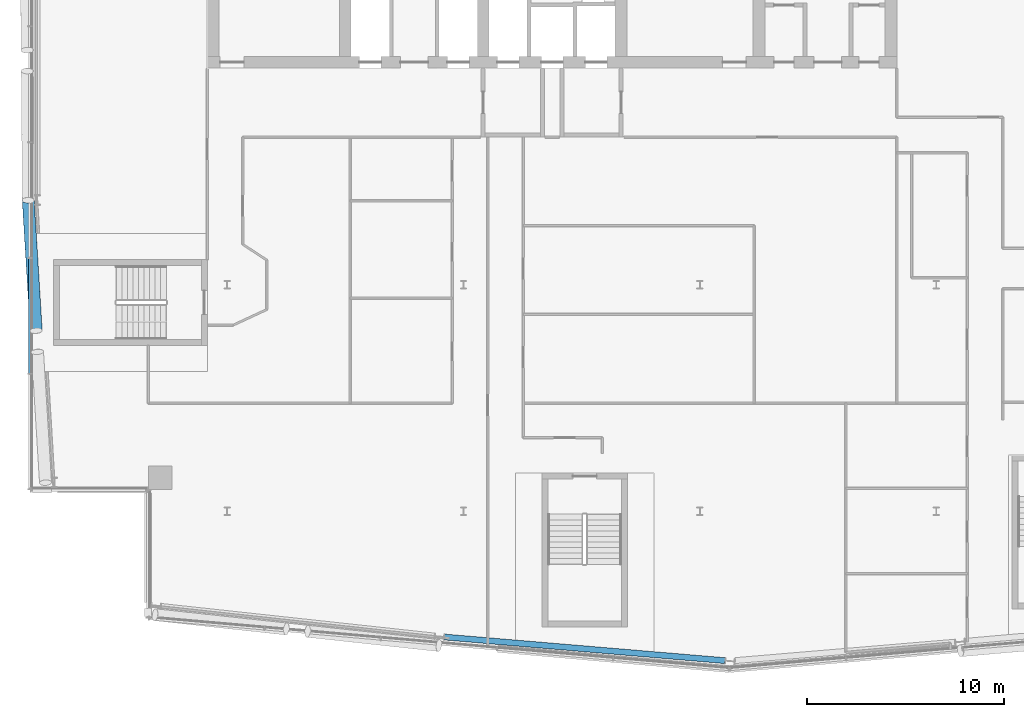
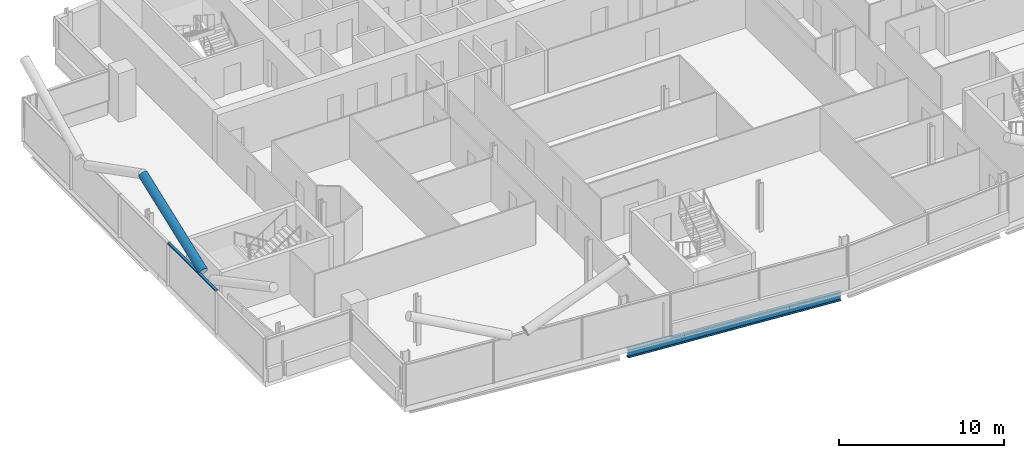
# One storey, part 6 of 27: 2 members, 1 beam, 1 element without a shape of its own.
"""IFC4 building model written with IfcOpenShell, lengths in metres."""

from ifc_helpers import new_model, si_unit, direction, frame, origin, origin_2d, place, context, subcontext, project, spatial, rectangle, hollow_circle, i_section, extrude, material, material_profile, profile_set, type_object, element, aggregate, save


model = new_model("IFC4")

# Units and contexts
model_context = context("Model", 3, precision=1e-05, world=origin(), true_north=direction((0.0, 1.0)))
body_context = subcontext(model_context, "Body", "Model", "MODEL_VIEW")
ifc_project = project(units=[si_unit("LENGTHUNIT", "METRE"), si_unit("AREAUNIT", "SQUARE_METRE"), si_unit("VOLUMEUNIT", "CUBIC_METRE"), si_unit("PLANEANGLEUNIT", "RADIAN"), si_unit("MASSUNIT", "GRAM", prefix="KILO")], contexts=[model_context])

# Site, building, storey
site_placement = place(None, origin())
site = spatial("IfcSite", under=ifc_project, at=site_placement, CompositionType="ELEMENT")
building_placement = place(site_placement, origin())
building = spatial("IfcBuilding", under=site, at=building_placement, Name="Wharfspan Tower", CompositionType="ELEMENT")
storey_placement = place(building_placement, frame((0.0, 0.0, 221.5)))
storey = spatial("IfcBuildingStorey", under=building, at=storey_placement, Name="L55", CompositionType="ELEMENT", Elevation=221.5)

# Beam
ifc_material_1 = material(Name="Steel S355J2", Category="steel")
ifc_material_profile_1 = material_profile(ifc_material_1, i_section(OverallWidth=0.300049, OverallDepth=0.600098, WebThickness=0.015381, FlangeThickness=0.030029, FilletRadius=0.0271, at=origin_2d()))
ifc_profile_set_1 = profile_set([ifc_material_profile_1], Name="Steel S355J2")
beam_type = type_object("IfcBeamType", Name="Edge beam HEB 600", PredefinedType="SPANDREL", material=ifc_profile_set_1)
beam_placement = place(storey_placement, frame((35.038574, 5.121582, -0.699951), z_axis=(0.996473, -0.083909, 0.0), x_axis=(0.083909, 0.996473, 0.0)))
element("IfcBeam", 1, at=beam_placement, inside=storey, type_object=beam_type, Name="Edge beam S1 L55 PS1.2 to PS1.3", PredefinedType="SPANDREL", context=body_context, shape_type="SweptSolid", body=[
    extrude(i_section(OverallWidth=0.300049, OverallDepth=0.600098, WebThickness=0.015381, FlangeThickness=0.030029, FilletRadius=0.0271, at=origin_2d()), origin(), (0.0, 0.0, 1.0), 14.277344),
])

# Member
ifc_material_2 = material(Name="Steel S460NH", Category="steel")
ifc_material_profile_2 = material_profile(ifc_material_2, hollow_circle(Radius=0.304932, WallThickness=0.024902, at=origin_2d()))
ifc_profile_set_2 = profile_set([ifc_material_profile_2], Name="Steel S460NH")
member_type_1 = type_object("IfcMemberType", Name="Mega brace CHS 610x25", PredefinedType="BRACE", material=ifc_profile_set_2)
member_1_placement = place(storey_placement, frame((14.310791, 20.670654, 3.170654), z_axis=(-0.054615, 0.892302, 0.448123), x_axis=(-0.998132, -0.061091, -3e-06)))
element("IfcMember", 2, at=member_1_placement, inside=storey, type_object=member_type_1, Name="Mega brace W4 L55 part 4", PredefinedType="BRACE", context=body_context, shape_type="SweptSolid", body=[
    extrude(hollow_circle(Radius=0.304932, WallThickness=0.024902, at=origin_2d()), origin(), (0.0, 0.0, 1.0), 7.429443),
])

# Curtain wall, member
ifc_material_3 = material(Name="Aluminium 6063-T6", Category="aluminium")
curtain_wall_type = type_object("IfcCurtainWallType", Name="CURTAIN WALL PROW AND END", PredefinedType="NOTDEFINED", material=ifc_material_3)
curtain_wall_placement = place(storey_placement, origin())
curtain_wall = element("IfcCurtainWall", 3, at=curtain_wall_placement, inside=storey, type_object=curtain_wall_type, Name="Curtain wall W", PredefinedType="NOTDEFINED")
ifc_material_profile_3 = material_profile(ifc_material_3, rectangle(XDim=0.179932, YDim=0.080078, at=origin_2d()))
ifc_profile_set_3 = profile_set([ifc_material_profile_3], Name="Aluminium 6063-T6")
member_type_2 = type_object("IfcMemberType", Name="TRANSOM PROW AND END 80x180", PredefinedType="USERDEFINED", material=ifc_profile_set_3)
member_2_placement = place(storey_placement, frame((14.0, 24.330078, 3.159912), z_axis=(0.0, -1.0, 0.0), x_axis=(1.0, 0.0, 0.0)))
member_2 = element("IfcMember", 4, at=member_2_placement, type_object=member_type_2, Name="Curtain wall W transom 4", ObjectType="TRANSOM", PredefinedType="USERDEFINED", context=body_context, shape_type="SweptSolid", body=[
    extrude(rectangle(XDim=0.179932, YDim=0.080078, at=origin_2d()), origin(), (0.0, 0.0, 1.0), 5.820068),
])
aggregate(curtain_wall, [member_2])

save(model, "model.ifc")
